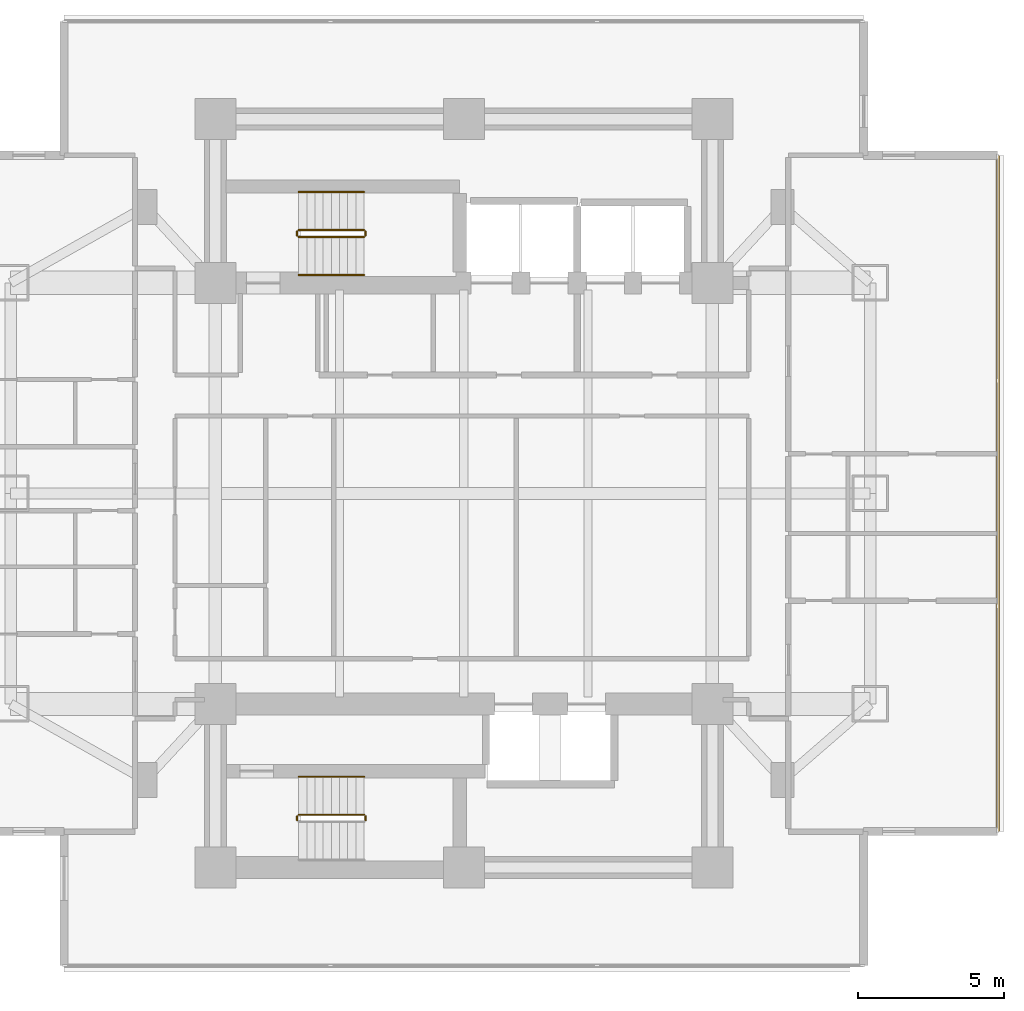
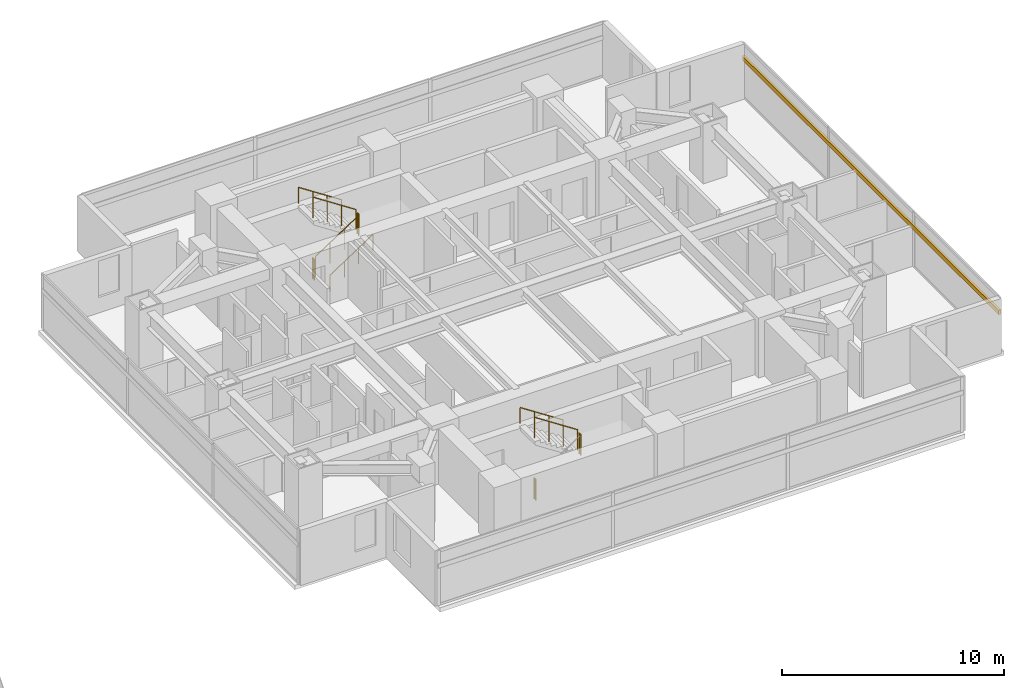
# One storey, part 22 of 23: 10 railings, 1 shading device.
"""IFC4 building model written with IfcOpenShell, lengths in metres."""

from ifc_helpers import new_model, si_unit, direction, frame, origin, origin_2d, place, context, subcontext, project, spatial, rectangle, circle, extrude, material, material_profile, profile_set, type_object, element, save


model = new_model("IFC4")

# Units and contexts
model_context = context("Model", 3, precision=1e-05, world=origin(), true_north=direction((0.0, 1.0)))
body_context = subcontext(model_context, "Body", "Model", "MODEL_VIEW")
ifc_project = project(units=[si_unit("LENGTHUNIT", "METRE"), si_unit("AREAUNIT", "SQUARE_METRE"), si_unit("VOLUMEUNIT", "CUBIC_METRE"), si_unit("PLANEANGLEUNIT", "RADIAN"), si_unit("MASSUNIT", "GRAM", prefix="KILO")], contexts=[model_context])

# Site, building, storey
site_placement = place(None, origin())
site = spatial("IfcSite", under=ifc_project, at=site_placement, CompositionType="ELEMENT")
building_placement = place(site_placement, origin())
building = spatial("IfcBuilding", under=site, at=building_placement, Name="Mirazonda Arch Towers", CompositionType="ELEMENT")
storey_placement = place(building_placement, frame((0.0, 0.0, 29.0)))
storey = spatial("IfcBuildingStorey", under=building, at=storey_placement, Name="L07", CompositionType="ELEMENT", Elevation=29.0)

# Shading device
ifc_material_1 = material(Name="Kiln-Fired Architectural Terracotta", Category="masonry")
ifc_material_profile = material_profile(ifc_material_1, rectangle(XDim=0.1201171875, YDim=0.239990234375, at=origin_2d()), Name="TERRA-BAG-120x240")
ifc_profile_set = profile_set([ifc_material_profile], Name="Kiln-Fired Architectural Terracotta")
shading_device_type = type_object("IfcShadingDeviceType", Name="BAGUETTE-1", PredefinedType="USERDEFINED", material=ifc_profile_set)
shading_device_placement = place(storey_placement, frame((94.756103515625, 16.433349609375, 2.188720703125), z_axis=(0.0, 1.0, 0.0), x_axis=(-1.0, 0.0, 0.0)))
element("IfcShadingDevice", 1, at=shading_device_placement, inside=storey, type_object=shading_device_type, Name="L07 Glazed Terracotta Sun-Screen Baguette CW-L07-T2-E", ObjectType="BAGUETTE", PredefinedType="USERDEFINED", context=body_context, shape_type="SweptSolid", body=[
    extrude(rectangle(XDim=0.1201171875, YDim=0.239990234375, at=origin_2d()), origin(), (0.0, 0.0, 1.0), 23.13330078125),
])

# Railings
ifc_material_2 = material(Name="Architectural Brushed Steel S355", Category="steel")
railing_type_1 = type_object("IfcRailingType", Name="GUARD-STAIR-1120", PredefinedType="GUARDRAIL", material=ifc_material_2)
railing_1_placement = place(storey_placement, frame((70.85009765625, 36.77001953125, 0.183349609375)))
element("IfcRailing", 2, at=railing_1_placement, inside=storey, type_object=railing_type_1, Name="L07 ST-T2N stair guard 1", PredefinedType="GUARDRAIL", context=body_context, shape_type="SweptSolid", body=[
    extrude(circle(Radius=0.02392578125, at=origin_2d()), frame((0.0, 0.0, 1.1259765625), z_axis=(0.836636935527, 0.0, 0.547757827979), x_axis=(0.0, 1.0, 0.0)), (0.0, 0.0, 1.0), 2.677490234375),
    extrude(circle(Radius=0.02099609375, at=origin_2d()), origin(), (0.0, 0.0, 1.0), 1.101806640625),
    extrude(circle(Radius=0.02099609375, at=origin_2d()), frame((0.74658203125, 0.0, 0.48876953125)), (0.0, 0.0, 1.0), 1.101806640625),
    extrude(circle(Radius=0.02099609375, at=origin_2d()), frame((1.493408203125, 0.0, 0.977783203125)), (0.0, 0.0, 1.0), 1.101806640625),
    extrude(circle(Radius=0.02099609375, at=origin_2d()), frame((2.239990234375, 0.0, 1.466552734375)), (0.0, 0.0, 1.0), 1.101806640625),
])
railing_2_placement = place(storey_placement, frame((73.139892578125, 36.820068359375, 1.64990234375)))
element("IfcRailing", 3, at=railing_2_placement, inside=storey, type_object=railing_type_1, Name="L07 ST-T2N stair guard 2", PredefinedType="GUARDRAIL", context=body_context, shape_type="SweptSolid", body=[
    extrude(circle(Radius=0.02392578125, at=origin_2d()), frame((0.0, 0.0, 1.1259765625), z_axis=(0.0, 1.0, 0.0), x_axis=(-1.0, 0.0, 0.0)), (0.0, 0.0, 1.0), 0.139892578125),
    extrude(circle(Radius=0.02099609375, at=origin_2d()), origin(), (0.0, 0.0, 1.0), 1.101806640625),
    extrude(circle(Radius=0.02099609375, at=origin_2d()), frame((0.0, 0.139892578125, 0.0)), (0.0, 0.0, 1.0), 1.101806640625),
])
railing_3_placement = place(storey_placement, frame((73.090087890625, 37.010009765625, 1.833251953125)))
element("IfcRailing", 4, at=railing_3_placement, inside=storey, type_object=railing_type_1, Name="L07 ST-T2N stair guard 3", PredefinedType="GUARDRAIL", context=body_context, shape_type="SweptSolid", body=[
    extrude(circle(Radius=0.02392578125, at=origin_2d()), frame((0.0, 0.0, 1.1259765625), z_axis=(-0.836595146698, 0.0, 0.547821650285), x_axis=(0.0, -1.0, 0.0)), (0.0, 0.0, 1.0), 2.677490234375),
    extrude(circle(Radius=0.02099609375, at=origin_2d()), origin(), (0.0, 0.0, 1.0), 1.101806640625),
    extrude(circle(Radius=0.02099609375, at=origin_2d()), frame((-0.74658203125, 0.0, 0.489013671875)), (0.0, 0.0, 1.0), 1.101806640625),
    extrude(circle(Radius=0.02099609375, at=origin_2d()), frame((-1.493408203125, 0.0, 0.977783203125)), (0.0, 0.0, 1.0), 1.101806640625),
    extrude(circle(Radius=0.02099609375, at=origin_2d()), frame((-2.239990234375, 0.0, 1.466796875)), (0.0, 0.0, 1.0), 1.101806640625),
])
for number, where, name in (
    (5, (70.800048828125, 36.820068359375, 0.0), "L07 ST-T2N stair guard 4"),
    (6, (73.139892578125, 16.820068359375, 1.64990234375), "L07 ST-T2S stair guard 2"),
):
    element("IfcRailing", number, at=place(storey_placement, frame(where)), inside=storey, type_object=railing_type_1, Name=name, PredefinedType="GUARDRAIL", context=body_context, shape_type="SweptSolid", body=[
        extrude(circle(Radius=0.02392578125, at=origin_2d()), frame((0.0, 0.0, 1.1259765625), z_axis=(0.0, 1.0, 0.0), x_axis=(-1.0, 0.0, 0.0)), (0.0, 0.0, 1.0), 0.139892578125),
        extrude(circle(Radius=0.02099609375, at=origin_2d()), origin(), (0.0, 0.0, 1.0), 1.101806640625),
        extrude(circle(Radius=0.02099609375, at=origin_2d()), frame((0.0, 0.139892578125, 0.0)), (0.0, 0.0, 1.0), 1.101806640625),
    ])
railing_4_placement = place(storey_placement, frame((73.090087890625, 17.010009765625, 1.833251953125)))
element("IfcRailing", 7, at=railing_4_placement, inside=storey, type_object=railing_type_1, Name="L07 ST-T2S stair guard 3", PredefinedType="GUARDRAIL", context=body_context, shape_type="SweptSolid", body=[
    extrude(circle(Radius=0.02392578125, at=origin_2d()), frame((0.0, 0.0, 1.1259765625), z_axis=(-0.836595146698, 0.0, 0.547821650285), x_axis=(0.0, -1.0, 0.0)), (0.0, 0.0, 1.0), 2.677490234375),
    extrude(circle(Radius=0.02099609375, at=origin_2d()), origin(), (0.0, 0.0, 1.0), 1.101806640625),
    extrude(circle(Radius=0.02099609375, at=origin_2d()), frame((-0.74658203125, 0.0, 0.489013671875)), (0.0, 0.0, 1.0), 1.101806640625),
    extrude(circle(Radius=0.02099609375, at=origin_2d()), frame((-1.493408203125, 0.0, 0.977783203125)), (0.0, 0.0, 1.0), 1.101806640625),
    extrude(circle(Radius=0.02099609375, at=origin_2d()), frame((-2.239990234375, 0.0, 1.466796875)), (0.0, 0.0, 1.0), 1.101806640625),
])
railing_5_placement = place(storey_placement, frame((70.800048828125, 16.820068359375, 0.0)))
element("IfcRailing", 8, at=railing_5_placement, inside=storey, type_object=railing_type_1, Name="L07 ST-T2S stair guard 4", PredefinedType="GUARDRAIL", context=body_context, shape_type="SweptSolid", body=[
    extrude(circle(Radius=0.02392578125, at=origin_2d()), frame((0.0, 0.0, 1.1259765625), z_axis=(0.0, 1.0, 0.0), x_axis=(-1.0, 0.0, 0.0)), (0.0, 0.0, 1.0), 0.139892578125),
    extrude(circle(Radius=0.02099609375, at=origin_2d()), origin(), (0.0, 0.0, 1.0), 1.101806640625),
    extrude(circle(Radius=0.02099609375, at=origin_2d()), frame((0.0, 0.139892578125, 0.0)), (0.0, 0.0, 1.0), 1.101806640625),
])
railing_type_2 = type_object("IfcRailingType", Name="HANDRAIL-915", PredefinedType="HANDRAIL", material=ifc_material_2)
railing_6_placement = place(storey_placement, frame((70.85009765625, 35.469970703125, 0.183349609375)))
element("IfcRailing", 9, at=railing_6_placement, inside=storey, type_object=railing_type_2, Name="L07 ST-T2N stair handrail 1", PredefinedType="HANDRAIL", context=body_context, shape_type="SweptSolid", body=[
    extrude(circle(Radius=0.02392578125, at=origin_2d()), frame((0.0, 0.0, 0.8759765625), z_axis=(0.836636935527, 0.0, 0.547757827979), x_axis=(0.0, 1.0, 0.0)), (0.0, 0.0, 1.0), 2.677490234375),
    extrude(circle(Radius=0.02099609375, at=origin_2d()), origin(), (0.0, 0.0, 1.0), 0.851806640625),
    extrude(circle(Radius=0.02099609375, at=origin_2d()), frame((0.74658203125, 0.0, 0.48876953125)), (0.0, 0.0, 1.0), 0.851806640625),
    extrude(circle(Radius=0.02099609375, at=origin_2d()), frame((1.493408203125, 0.0, 0.977783203125)), (0.0, 0.0, 1.0), 0.851806640625),
    extrude(circle(Radius=0.02099609375, at=origin_2d()), frame((2.239990234375, 0.0, 1.466552734375)), (0.0, 0.0, 1.0), 0.851806640625),
])
for number, where, name in (
    (10, (73.090087890625, 38.31005859375, 1.833251953125), "L07 ST-T2N stair handrail 2"),
    (11, (73.090087890625, 18.31005859375, 1.833251953125), "L07 ST-T2S stair handrail 2"),
):
    element("IfcRailing", number, at=place(storey_placement, frame(where)), inside=storey, type_object=railing_type_2, Name=name, PredefinedType="HANDRAIL", context=body_context, shape_type="SweptSolid", body=[
        extrude(circle(Radius=0.02392578125, at=origin_2d()), frame((0.0, 0.0, 0.8759765625), z_axis=(-0.836595146698, 0.0, 0.547821650285), x_axis=(0.0, -1.0, 0.0)), (0.0, 0.0, 1.0), 2.677490234375),
        extrude(circle(Radius=0.02099609375, at=origin_2d()), origin(), (0.0, 0.0, 1.0), 0.851806640625),
        extrude(circle(Radius=0.02099609375, at=origin_2d()), frame((-0.74658203125, 0.0, 0.489013671875)), (0.0, 0.0, 1.0), 0.851806640625),
        extrude(circle(Radius=0.02099609375, at=origin_2d()), frame((-1.493408203125, 0.0, 0.977783203125)), (0.0, 0.0, 1.0), 0.851806640625),
        extrude(circle(Radius=0.02099609375, at=origin_2d()), frame((-2.239990234375, 0.0, 1.466796875)), (0.0, 0.0, 1.0), 0.851806640625),
    ])

save(model, "model.ifc")
